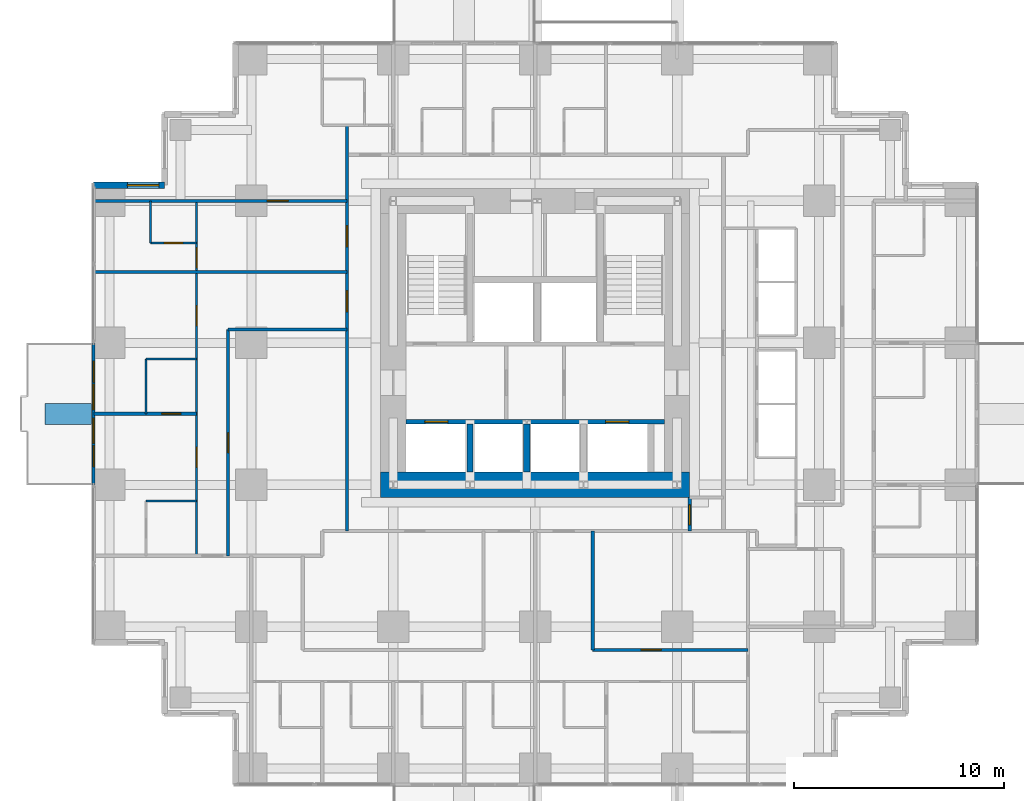
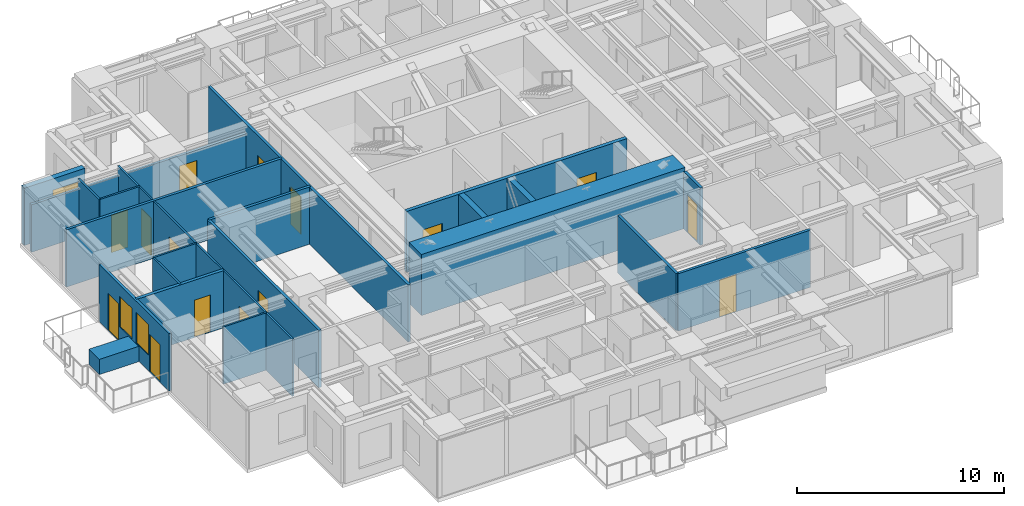
# One storey, part 8 of 13: 22 walls, 15 doors, 3 windows, 18 openings.
"""IFC4 building model written with IfcOpenShell, lengths in metres."""

from ifc_helpers import new_model, si_unit, direction, frame, frame_2d, origin, place, context, subcontext, project, spatial, rectangle, extrude, material, layer, layer_set, type_object, element, fill, save


model = new_model("IFC4")

# Units and contexts
model_context = context("Model", 3, precision=1e-05, world=origin(), true_north=direction((0.0, 1.0)))
body_context = subcontext(model_context, "Body", "Model", "MODEL_VIEW")
ifc_project = project(units=[si_unit("LENGTHUNIT", "METRE"), si_unit("AREAUNIT", "SQUARE_METRE"), si_unit("VOLUMEUNIT", "CUBIC_METRE"), si_unit("PLANEANGLEUNIT", "RADIAN"), si_unit("MASSUNIT", "GRAM", prefix="KILO")], contexts=[model_context])

# Site, building, storey
site_placement = place(None, origin())
site = spatial("IfcSite", under=ifc_project, at=site_placement, CompositionType="ELEMENT")
building_placement = place(site_placement, origin())
building = spatial("IfcBuilding", under=site, at=building_placement, Name="Nyansa Garden Tower", CompositionType="ELEMENT")
storey_placement = place(building_placement, frame((0.0, 0.0, 116.10009765625)))
storey = spatial("IfcBuildingStorey", under=building, at=storey_placement, Name="L31", CompositionType="ELEMENT", Elevation=116.10009765625)

# Wall, opening, door
ifc_material_1 = material(Name="Dense blockwork, plastered both sides, 55 dB", Category="masonry")
ifc_layer_1 = layer(ifc_material_1, 0.175048828125)
ifc_layer_set_1 = layer_set([ifc_layer_1], Name="Acoustic party wall PW175")
wall_type_1 = type_object("IfcWallType", Name="Acoustic party wall PW175", PredefinedType="PARTITIONING", material=ifc_layer_set_1)
wall_1_placement = place(storey_placement, frame((-0.73388671875, 16.875, 0.0), z_axis=(0.0, 0.0, 1.0), x_axis=(1.0, 0.0, 0.0)))
wall_1 = element("IfcWall", 1, at=wall_1_placement, inside=storey, type_object=wall_type_1, Name="Party wall", PredefinedType="PARTITIONING", context=body_context, shape_type="SweptSolid", body=[
    extrude(rectangle(XDim=4.8837890625, YDim=0.175048828125, at=frame_2d((2.44189453125, 0.0))), origin(), (0.0, 0.0, 1.0), 3.375),
])
opening_1_placement = place(wall_1_placement, frame((3.23388671875, 0.0, 0.0)))
opening_1 = element("IfcOpeningElement", 2, at=opening_1_placement, cuts=wall_1, Name="Opening D02", PredefinedType="OPENING", context=body_context, shape_type="SweptSolid", body=[
    extrude(rectangle(XDim=0.89990234375, YDim=2.199951171875, at=frame_2d((0.449951171875, 1.10009765625))), frame((0.0, 0.097412109375, 0.0), z_axis=(0.0, -1.0, 0.0), x_axis=(1.0, 0.0, 0.0)), (0.0, 0.0, 1.0), 0.195068359375),
])
ifc_material_2 = material(Name="Timber flush door", Category="wood")
door_type_1 = type_object("IfcDoorType", Name="En-suite door D02 900x2200", OperationType="SINGLE_SWING_RIGHT", PredefinedType="DOOR", material=ifc_material_2)
door_1_placement = place(opening_1_placement, origin())
door_1 = element("IfcDoor", 3, at=door_1_placement, inside=storey, type_object=door_type_1, Name="Door L31-061", OperationType="SINGLE_SWING_RIGHT", OverallHeight=2.199951171875, OverallWidth=0.89990234375, PredefinedType="DOOR", context=body_context, shape_type="SweptSolid", body=[
    extrude(rectangle(XDim=0.89990234375, YDim=2.199951171875, at=frame_2d((0.449951171875, 1.10009765625))), frame((0.0, 0.02490234375, 0.0), z_axis=(0.0, -1.0, 0.0), x_axis=(1.0, 0.0, 0.0)), (0.0, 0.0, 1.0), 0.050048828125),
])
fill(opening_1, door_1)

# Wall, openings, doors, windows
ifc_material_3 = material(Name="Black aluminium framed glazed screen", Category="aluminium")
ifc_layer_2 = layer(ifc_material_3, 0.14990234375)
ifc_layer_set_2 = layer_set([ifc_layer_2], Name="Balcony screen wall BW150")
wall_type_2 = type_object("IfcWallType", Name="Balcony screen wall BW150", PredefinedType="SOLIDWALL", material=ifc_layer_set_2)
wall_2_placement = place(storey_placement, frame((-0.75, 13.5, 0.0), z_axis=(0.0, 0.0, 1.0), x_axis=(0.0, 1.0, 0.0)))
wall_2 = element("IfcWall", 4, at=wall_2_placement, inside=storey, type_object=wall_type_2, Name="Glazed screen wall L31 W", PredefinedType="SOLIDWALL", context=body_context, shape_type="SweptSolid", body=[
    extrude(rectangle(XDim=6.75, YDim=0.14990234375, at=frame_2d((3.375, 0.0))), origin(), (0.0, 0.0, 1.0), 3.375),
])
opening_2_placement = place(wall_2_placement, frame((0.862548828125, 0.0, 0.0)))
opening_2 = element("IfcOpeningElement", 5, at=opening_2_placement, cuts=wall_2, Name="Opening D20", PredefinedType="OPENING", context=body_context, shape_type="SweptSolid", body=[
    extrude(rectangle(XDim=1.0, YDim=2.199951171875, at=frame_2d((0.5, 1.10009765625))), frame((0.0, 0.0849609375, 0.0), z_axis=(0.0, -1.0, 0.0), x_axis=(1.0, 0.0, 0.0)), (0.0, 0.0, 1.0), 0.169921875),
])
opening_3_placement = place(wall_2_placement, frame((1.97509765625, 0.0, 0.89990234375)))
opening_3 = element("IfcOpeningElement", 6, at=opening_3_placement, cuts=wall_2, Name="Opening W6", PredefinedType="OPENING", context=body_context, shape_type="SweptSolid", body=[
    extrude(rectangle(XDim=1.199951171875, YDim=1.800048828125, at=frame_2d((0.60009765625, 0.89990234375))), frame((0.0, 0.0849609375, 0.0), z_axis=(0.0, -1.0, 0.0), x_axis=(1.0, 0.0, 0.0)), (0.0, 0.0, 1.0), 0.169921875),
])
opening_4_placement = place(wall_2_placement, frame((4.887451171875, 0.0, 0.0)))
opening_4 = element("IfcOpeningElement", 7, at=opening_4_placement, cuts=wall_2, Name="Opening D20", PredefinedType="OPENING", context=body_context, shape_type="SweptSolid", body=[
    extrude(rectangle(XDim=1.0, YDim=2.199951171875, at=frame_2d((0.5, 1.10009765625))), frame((0.0, 0.0849609375, 0.0), z_axis=(0.0, -1.0, 0.0), x_axis=(1.0, 0.0, 0.0)), (0.0, 0.0, 1.0), 0.169921875),
])
opening_5_placement = place(wall_2_placement, frame((3.574951171875, 0.0, 0.89990234375)))
opening_5 = element("IfcOpeningElement", 8, at=opening_5_placement, cuts=wall_2, Name="Opening W6", PredefinedType="OPENING", context=body_context, shape_type="SweptSolid", body=[
    extrude(rectangle(XDim=1.199951171875, YDim=1.800048828125, at=frame_2d((0.60009765625, 0.89990234375))), frame((0.0, 0.0849609375, 0.0), z_axis=(0.0, -1.0, 0.0), x_axis=(1.0, 0.0, 0.0)), (0.0, 0.0, 1.0), 0.169921875),
])
ifc_material_4 = material(Name="Black aluminium framed glazed door", Category="aluminium")
door_type_2 = type_object("IfcDoorType", Name="Balcony door D20 1000x2200", OperationType="NOTDEFINED", PredefinedType="DOOR", material=ifc_material_4)
door_2_placement = place(opening_2_placement, origin())
door_2 = element("IfcDoor", 9, at=door_2_placement, inside=storey, type_object=door_type_2, Name="Balcony door L31", OperationType="SINGLE_SWING_LEFT", OverallHeight=2.199951171875, OverallWidth=1.0, PredefinedType="DOOR", context=body_context, shape_type="SweptSolid", body=[
    extrude(rectangle(XDim=1.0, YDim=2.199951171875, at=frame_2d((0.5, 1.10009765625))), frame((0.0, 0.02490234375, 0.0), z_axis=(0.0, -1.0, 0.0), x_axis=(1.0, 0.0, 0.0)), (0.0, 0.0, 1.0), 0.050048828125),
])
fill(opening_2, door_2)
door_3_placement = place(opening_4_placement, origin())
door_3 = element("IfcDoor", 10, at=door_3_placement, inside=storey, type_object=door_type_2, Name="Balcony door L31", OperationType="SINGLE_SWING_RIGHT", OverallHeight=2.199951171875, OverallWidth=1.0, PredefinedType="DOOR", context=body_context, shape_type="SweptSolid", body=[
    extrude(rectangle(XDim=1.0, YDim=2.199951171875, at=frame_2d((0.5, 1.10009765625))), frame((0.0, 0.02490234375, 0.0), z_axis=(0.0, -1.0, 0.0), x_axis=(1.0, 0.0, 0.0)), (0.0, 0.0, 1.0), 0.050048828125),
])
fill(opening_4, door_3)
ifc_material_5 = material(Name="Black aluminium frame, dark tinted double glazing", Category="aluminium")
window_type_1 = type_object("IfcWindowType", Name="Balcony window W6 1200x1800", PartitioningType="SINGLE_PANEL", PredefinedType="WINDOW", material=ifc_material_5)
window_1_placement = place(opening_3_placement, origin())
window_1 = element("IfcWindow", 11, at=window_1_placement, inside=storey, type_object=window_type_1, Name="Window L31", OverallHeight=1.800048828125, OverallWidth=1.199951171875, PartitioningType="SINGLE_PANEL", PredefinedType="WINDOW", context=body_context, shape_type="SweptSolid", body=[
    extrude(rectangle(XDim=1.199951171875, YDim=1.800048828125, at=frame_2d((0.60009765625, 0.89990234375))), frame((0.0, 0.030029296875, 0.0), z_axis=(0.0, -1.0, 0.0), x_axis=(1.0, 0.0, 0.0)), (0.0, 0.0, 1.0), 0.06005859375),
])
fill(opening_3, window_1)
window_2_placement = place(opening_5_placement, origin())
window_2 = element("IfcWindow", 12, at=window_2_placement, inside=storey, type_object=window_type_1, Name="Window L31", OverallHeight=1.800048828125, OverallWidth=1.199951171875, PartitioningType="SINGLE_PANEL", PredefinedType="WINDOW", context=body_context, shape_type="SweptSolid", body=[
    extrude(rectangle(XDim=1.199951171875, YDim=1.800048828125, at=frame_2d((0.60009765625, 0.89990234375))), frame((0.0, 0.030029296875, 0.0), z_axis=(0.0, -1.0, 0.0), x_axis=(1.0, 0.0, 0.0)), (0.0, 0.0, 1.0), 0.06005859375),
])
fill(opening_5, window_2)

# Wall, openings, doors
ifc_material_6 = material(Name="Concrete C70/85", Category="concrete")
ifc_layer_3 = layer(ifc_material_6, 0.199951171875)
ifc_layer_set_3 = layer_set([ifc_layer_3], Name="Core inner wall CI200")
wall_type_3 = type_object("IfcWallType", Name="Core inner wall CI200", PredefinedType="SHEAR", material=ifc_layer_set_3)
wall_3_placement = place(storey_placement, frame((14.10009765625, 16.5, 0.0), z_axis=(0.0, 0.0, 1.0), x_axis=(1.0, 0.0, 0.0)))
wall_3 = element("IfcWall", 13, at=wall_3_placement, inside=storey, type_object=wall_type_3, Name="Core inner wall L31", PredefinedType="SHEAR", context=body_context, shape_type="SweptSolid", body=[
    extrude(rectangle(XDim=12.2998046875, YDim=0.199951171875, at=frame_2d((6.14990234375, 0.0))), origin(), (0.0, 0.0, 1.0), 3.599853515625),
])
opening_6_placement = place(wall_3_placement, frame((0.89990234375, 0.0, 0.0)))
opening_6 = element("IfcOpeningElement", 14, at=opening_6_placement, cuts=wall_3, Name="Opening LD-F", PredefinedType="OPENING", context=body_context, shape_type="SweptSolid", body=[
    extrude(rectangle(XDim=1.10009765625, YDim=2.199951171875, at=frame_2d((0.550048828125, 1.10009765625))), frame((0.0, 0.10986328125, 0.0), z_axis=(0.0, -1.0, 0.0), x_axis=(1.0, 0.0, 0.0)), (0.0, 0.0, 1.0), 0.219970703125),
])
opening_7_placement = place(wall_3_placement, frame((9.5, 0.0, 0.0)))
opening_7 = element("IfcOpeningElement", 15, at=opening_7_placement, cuts=wall_3, Name="Opening LD-F", PredefinedType="OPENING", context=body_context, shape_type="SweptSolid", body=[
    extrude(rectangle(XDim=1.10009765625, YDim=2.199951171875, at=frame_2d((0.550048828125, 1.10009765625))), frame((0.0, 0.10986328125, 0.0), z_axis=(0.0, -1.0, 0.0), x_axis=(1.0, 0.0, 0.0)), (0.0, 0.0, 1.0), 0.219970703125),
])
ifc_material_7 = material(Name="Stainless steel centre-opening landing door of the firefighting lift, EN 81-72, E 120", Category="steel")
door_type_3 = type_object("IfcDoorType", Name="Lift landing door LD-F 1100x2200", OperationType="DOUBLE_DOOR_SLIDING", PredefinedType="DOOR", material=ifc_material_7)
door_4_placement = place(opening_6_placement, origin())
door_4 = element("IfcDoor", 16, at=door_4_placement, inside=storey, type_object=door_type_3, Name="Landing door FF1", OperationType="DOUBLE_DOOR_SLIDING", OverallHeight=2.199951171875, OverallWidth=1.10009765625, PredefinedType="DOOR", context=body_context, shape_type="SweptSolid", body=[
    extrude(rectangle(XDim=1.10009765625, YDim=2.199951171875, at=frame_2d((0.550048828125, 1.10009765625))), frame((0.0, 0.02490234375, 0.0), z_axis=(0.0, -1.0, 0.0), x_axis=(1.0, 0.0, 0.0)), (0.0, 0.0, 1.0), 0.050048828125),
])
fill(opening_6, door_4)
door_5_placement = place(opening_7_placement, origin())
door_5 = element("IfcDoor", 17, at=door_5_placement, inside=storey, type_object=door_type_3, Name="Landing door FF2", OperationType="DOUBLE_DOOR_SLIDING", OverallHeight=2.199951171875, OverallWidth=1.10009765625, PredefinedType="DOOR", context=body_context, shape_type="SweptSolid", body=[
    extrude(rectangle(XDim=1.10009765625, YDim=2.199951171875, at=frame_2d((0.550048828125, 1.10009765625))), frame((0.0, 0.02490234375, 0.0), z_axis=(0.0, -1.0, 0.0), x_axis=(1.0, 0.0, 0.0)), (0.0, 0.0, 1.0), 0.050048828125),
])
fill(opening_7, door_5)

# Walls
ifc_material_8 = material(Name="Concrete C70/85", Category="concrete")
ifc_layer_4 = layer(ifc_material_8, 0.300048828125)
ifc_layer_set_4 = layer_set([ifc_layer_4], Name="Core inner wall CI300")
wall_type_4 = type_object("IfcWallType", Name="Core inner wall CI300", PredefinedType="SHEAR", material=ifc_layer_set_4)
for number, where, z_axis, x_axis, name in (
    (18, (17.14990234375, 14.10009765625, 0.0), (0.0, 0.0, 1.0), (0.0, 1.0, 0.0), "Core inner wall L31"),
    (19, (19.85009765625, 14.10009765625, 0.0), (0.0, 0.0, 1.0), (0.0, 1.0, 0.0), "Core inner wall L31"),
):
    element("IfcWall", number, at=place(storey_placement, frame(where, z_axis=z_axis, x_axis=x_axis)), inside=storey, type_object=wall_type_4, Name=name, PredefinedType="SHEAR", context=body_context, shape_type="SweptSolid", body=[
        extrude(rectangle(XDim=2.2998046875, YDim=0.300048828125, at=frame_2d((1.14990234375, 0.0))), origin(), (0.0, 0.0, 1.0), 3.599853515625),
    ])
ifc_material_9 = material(Name="Concrete C80/95", Category="concrete")
ifc_layer_5 = layer(ifc_material_9, 1.199951171875)
ifc_layer_set_5 = layer_set([ifc_layer_5], Name="Core wall CW1200")
wall_type_5 = type_object("IfcWallType", Name="Core wall CW1200", PredefinedType="SHEAR", material=ifc_layer_set_5)
wall_4_placement = place(storey_placement, frame((12.89990234375, 13.5, 0.0), z_axis=(0.0, 0.0, 1.0), x_axis=(1.0, 0.0, 0.0)))
element("IfcWall", 20, at=wall_4_placement, inside=storey, type_object=wall_type_5, Name="Core wall S L31", PredefinedType="SHEAR", context=body_context, shape_type="SweptSolid", body=[
    extrude(rectangle(XDim=14.7001953125, YDim=1.199951171875, at=frame_2d((7.35009765625, 0.0))), origin(), (0.0, 0.0, 1.0), 3.599853515625),
])
ifc_material_10 = material(Name="Blockwork, plastered both sides", Category="masonry")
ifc_layer_6 = layer(ifc_material_10, 0.14990234375)
ifc_layer_set_6 = layer_set([ifc_layer_6], Name="Partition PW150")
wall_type_6 = type_object("IfcWallType", Name="Partition PW150", PredefinedType="PARTITIONING", material=ifc_layer_set_6)
wall_5_placement = place(storey_placement, frame((-0.73388671875, 23.625, 0.0), z_axis=(0.0, 0.0, 1.0), x_axis=(1.0, 0.0, 0.0)))
element("IfcWall", 21, at=wall_5_placement, inside=storey, type_object=wall_type_6, Name="Partition", PredefinedType="PARTITIONING", context=body_context, shape_type="SweptSolid", body=[
    extrude(rectangle(XDim=12.033935546875, YDim=0.14990234375, at=frame_2d((6.01708984375, 0.0))), origin(), (0.0, 0.0, 1.0), 3.375),
])

# Wall, opening, door
wall_6_placement = place(storey_placement, frame((-0.73388671875, 27.0, 0.0), z_axis=(0.0, 0.0, 1.0), x_axis=(1.0, 0.0, 0.0)))
wall_6 = element("IfcWall", 22, at=wall_6_placement, inside=storey, type_object=wall_type_6, Name="Partition", PredefinedType="PARTITIONING", context=body_context, shape_type="SweptSolid", body=[
    extrude(rectangle(XDim=12.033935546875, YDim=0.14990234375, at=frame_2d((6.01708984375, 0.0))), origin(), (0.0, 0.0, 1.0), 2.805908203125),
])
opening_8_placement = place(wall_6_placement, frame((8.23388671875, 0.0, 0.0)))
opening_8 = element("IfcOpeningElement", 23, at=opening_8_placement, cuts=wall_6, Name="Opening D03", PredefinedType="OPENING", context=body_context, shape_type="SweptSolid", body=[
    extrude(rectangle(XDim=1.0, YDim=2.199951171875, at=frame_2d((0.5, 1.10009765625))), frame((0.0, 0.0849609375, 0.0), z_axis=(0.0, -1.0, 0.0), x_axis=(1.0, 0.0, 0.0)), (0.0, 0.0, 1.0), 0.169921875),
])
ifc_material_11 = material(Name="Timber flush door, 60 minute fire resisting", Category="wood")
door_type_4 = type_object("IfcDoorType", Name="Cluster entrance door D03 1000x2200", OperationType="SINGLE_SWING_LEFT", PredefinedType="DOOR", material=ifc_material_11)
door_6_placement = place(opening_8_placement, origin())
door_6 = element("IfcDoor", 24, at=door_6_placement, inside=storey, type_object=door_type_4, Name="Door L31-054", OperationType="SINGLE_SWING_LEFT", OverallHeight=2.199951171875, OverallWidth=1.0, PredefinedType="DOOR", context=body_context, shape_type="SweptSolid", body=[
    extrude(rectangle(XDim=1.0, YDim=2.199951171875, at=frame_2d((0.5, 1.10009765625))), frame((0.0, 0.02490234375, 0.0), z_axis=(0.0, -1.0, 0.0), x_axis=(1.0, 0.0, 0.0)), (0.0, 0.0, 1.0), 0.050048828125),
])
fill(opening_8, door_6)

wall_7_placement = place(storey_placement, frame((5.64990234375, 10.125, 0.0), z_axis=(0.0, 0.0, 1.0), x_axis=(0.0, 1.0, 0.0)))
wall_7 = element("IfcWall", 25, at=wall_7_placement, inside=storey, type_object=wall_type_6, Name="Partition", PredefinedType="PARTITIONING", context=body_context, shape_type="SweptSolid", body=[
    extrude(rectangle(XDim=10.762451171875, YDim=0.14990234375, at=frame_2d((5.38134765625, 0.0))), origin(), (0.0, 0.0, 1.0), 3.375),
])
opening_9_placement = place(wall_7_placement, frame((4.89990234375, 0.0, 0.0)))
opening_9 = element("IfcOpeningElement", 26, at=opening_9_placement, cuts=wall_7, Name="Opening D01", PredefinedType="OPENING", context=body_context, shape_type="SweptSolid", body=[
    extrude(rectangle(XDim=0.949951171875, YDim=2.199951171875, at=frame_2d((0.47509765625, 1.10009765625))), frame((0.0, 0.0849609375, 0.0), z_axis=(0.0, -1.0, 0.0), x_axis=(1.0, 0.0, 0.0)), (0.0, 0.0, 1.0), 0.169921875),
])
ifc_material_12 = material(Name="Timber flush door, 30 minute fire resisting", Category="wood")
door_type_5 = type_object("IfcDoorType", Name="Bedroom door D01 950x2200", OperationType="SINGLE_SWING_LEFT", PredefinedType="DOOR", material=ifc_material_12)
door_7_placement = place(opening_9_placement, origin())
door_7 = element("IfcDoor", 27, at=door_7_placement, inside=storey, type_object=door_type_5, Name="Door L31-063", OperationType="SINGLE_SWING_LEFT", OverallHeight=2.199951171875, OverallWidth=0.949951171875, PredefinedType="DOOR", context=body_context, shape_type="SweptSolid", body=[
    extrude(rectangle(XDim=0.949951171875, YDim=2.199951171875, at=frame_2d((0.47509765625, 1.10009765625))), frame((0.0, 0.02490234375, 0.0), z_axis=(0.0, -1.0, 0.0), x_axis=(1.0, 0.0, 0.0)), (0.0, 0.0, 1.0), 0.050048828125),
])
fill(opening_9, door_7)

# Wall
wall_8_placement = place(storey_placement, frame((5.64990234375, 20.886962890625, 0.0), z_axis=(0.0, 0.0, 1.0), x_axis=(1.0, 0.0, 0.0)))
element("IfcWall", 28, at=wall_8_placement, inside=storey, type_object=wall_type_6, Name="Partition", PredefinedType="PARTITIONING", context=body_context, shape_type="SweptSolid", body=[
    extrude(rectangle(XDim=5.650146484375, YDim=0.14990234375, at=frame_2d((2.8251953125, 0.0))), origin(), (0.0, 0.0, 1.0), 3.375),
])

# Wall, openings, doors
wall_9_placement = place(storey_placement, frame((11.300048828125, 11.300048828125, 0.0), z_axis=(0.0, 0.0, 1.0), x_axis=(0.0, 1.0, 0.0)))
wall_9 = element("IfcWall", 29, at=wall_9_placement, inside=storey, type_object=wall_type_6, Name="Partition", PredefinedType="PARTITIONING", context=body_context, shape_type="SweptSolid", body=[
    extrude(rectangle(XDim=19.300048828125, YDim=0.14990234375, at=frame_2d((9.64990234375, 0.0))), origin(), (0.0, 0.0, 1.0), 3.375),
])
opening_10_placement = place(wall_9_placement, frame((13.52490234375, 0.0, 0.0)))
opening_10 = element("IfcOpeningElement", 30, at=opening_10_placement, cuts=wall_9, Name="Opening D03", PredefinedType="OPENING", context=body_context, shape_type="SweptSolid", body=[
    extrude(rectangle(XDim=1.0, YDim=2.199951171875, at=frame_2d((0.5, 1.10009765625))), frame((0.0, 0.0849609375, 0.0), z_axis=(0.0, -1.0, 0.0), x_axis=(1.0, 0.0, 0.0)), (0.0, 0.0, 1.0), 0.169921875),
])
opening_11_placement = place(wall_9_placement, frame((10.4375, 0.0, 0.0)))
opening_11 = element("IfcOpeningElement", 31, at=opening_11_placement, cuts=wall_9, Name="Opening D03", PredefinedType="OPENING", context=body_context, shape_type="SweptSolid", body=[
    extrude(rectangle(XDim=1.0, YDim=2.199951171875, at=frame_2d((0.5, 1.10009765625))), frame((0.0, 0.0849609375, 0.0), z_axis=(0.0, -1.0, 0.0), x_axis=(1.0, 0.0, 0.0)), (0.0, 0.0, 1.0), 0.169921875),
])
door_8_placement = place(opening_10_placement, origin())
door_8 = element("IfcDoor", 32, at=door_8_placement, inside=storey, type_object=door_type_4, Name="Door L31-057", OperationType="SINGLE_SWING_LEFT", OverallHeight=2.199951171875, OverallWidth=1.0, PredefinedType="DOOR", context=body_context, shape_type="SweptSolid", body=[
    extrude(rectangle(XDim=1.0, YDim=2.199951171875, at=frame_2d((0.5, 1.10009765625))), frame((0.0, 0.02490234375, 0.0), z_axis=(0.0, -1.0, 0.0), x_axis=(1.0, 0.0, 0.0)), (0.0, 0.0, 1.0), 0.050048828125),
])
fill(opening_10, door_8)
door_9_placement = place(opening_11_placement, origin())
door_9 = element("IfcDoor", 33, at=door_9_placement, inside=storey, type_object=door_type_4, Name="Door L31-062", OperationType="SINGLE_SWING_LEFT", OverallHeight=2.199951171875, OverallWidth=1.0, PredefinedType="DOOR", context=body_context, shape_type="SweptSolid", body=[
    extrude(rectangle(XDim=1.0, YDim=2.199951171875, at=frame_2d((0.5, 1.10009765625))), frame((0.0, 0.02490234375, 0.0), z_axis=(0.0, -1.0, 0.0), x_axis=(1.0, 0.0, 0.0)), (0.0, 0.0, 1.0), 0.050048828125),
])
fill(opening_11, door_9)

# Wall, opening, door
wall_10_placement = place(storey_placement, frame((22.987548828125, 5.64990234375, 0.0), z_axis=(0.0, 0.0, 1.0), x_axis=(1.0, 0.0, 0.0)))
wall_10 = element("IfcWall", 34, at=wall_10_placement, inside=storey, type_object=wall_type_6, Name="Partition", PredefinedType="PARTITIONING", context=body_context, shape_type="SweptSolid", body=[
    extrude(rectangle(XDim=7.387451171875, YDim=0.14990234375, at=frame_2d((3.69384765625, 0.0))), origin(), (0.0, 0.0, 1.0), 3.375),
])
opening_12_placement = place(wall_10_placement, frame((2.300048828125, 0.0, 0.0)))
opening_12 = element("IfcOpeningElement", 35, at=opening_12_placement, cuts=wall_10, Name="Opening D01", PredefinedType="OPENING", context=body_context, shape_type="SweptSolid", body=[
    extrude(rectangle(XDim=0.949951171875, YDim=2.199951171875, at=frame_2d((0.47509765625, 1.10009765625))), frame((0.0, 0.0849609375, 0.0), z_axis=(0.0, -1.0, 0.0), x_axis=(1.0, 0.0, 0.0)), (0.0, 0.0, 1.0), 0.169921875),
])
door_10_placement = place(opening_12_placement, origin())
door_10 = element("IfcDoor", 36, at=door_10_placement, inside=storey, type_object=door_type_5, Name="Door L31-033", OperationType="SINGLE_SWING_LEFT", OverallHeight=2.199951171875, OverallWidth=0.949951171875, PredefinedType="DOOR", context=body_context, shape_type="SweptSolid", body=[
    extrude(rectangle(XDim=0.949951171875, YDim=2.199951171875, at=frame_2d((0.47509765625, 1.10009765625))), frame((0.0, 0.02490234375, 0.0), z_axis=(0.0, -1.0, 0.0), x_axis=(1.0, 0.0, 0.0)), (0.0, 0.0, 1.0), 0.050048828125),
])
fill(opening_12, door_10)

# Wall
wall_11_placement = place(storey_placement, frame((22.988037109375, 5.64990234375, 0.0), z_axis=(0.0, 0.0, 1.0), x_axis=(0.0, 1.0, 0.0)))
element("IfcWall", 37, at=wall_11_placement, inside=storey, type_object=wall_type_6, Name="Partition", PredefinedType="PARTITIONING", context=body_context, shape_type="SweptSolid", body=[
    extrude(rectangle(XDim=5.650146484375, YDim=0.14990234375, at=frame_2d((2.8251953125, 0.0))), origin(), (0.0, 0.0, 1.0), 3.375),
])

# Wall, opening, door
wall_12_placement = place(storey_placement, frame((27.60009765625, 11.300048828125, 0.0), z_axis=(0.0, 0.0, 1.0), x_axis=(0.0, 1.0, 0.0)))
wall_12 = element("IfcWall", 38, at=wall_12_placement, inside=storey, type_object=wall_type_6, Name="Partition", PredefinedType="PARTITIONING", context=body_context, shape_type="SweptSolid", body=[
    extrude(rectangle(XDim=1.599853515625, YDim=0.14990234375, at=frame_2d((0.7998046875, 0.0))), origin(), (0.0, 0.0, 1.0), 3.375),
])
opening_13_placement = place(wall_12_placement, frame((0.300048828125, 0.0, 0.0)))
opening_13 = element("IfcOpeningElement", 39, at=opening_13_placement, cuts=wall_12, Name="Opening D01", PredefinedType="OPENING", context=body_context, shape_type="SweptSolid", body=[
    extrude(rectangle(XDim=0.949951171875, YDim=2.199951171875, at=frame_2d((0.47509765625, 1.10009765625))), frame((0.0, 0.0849609375, 0.0), z_axis=(0.0, -1.0, 0.0), x_axis=(1.0, 0.0, 0.0)), (0.0, 0.0, 1.0), 0.169921875),
])
door_11_placement = place(opening_13_placement, origin())
door_11 = element("IfcDoor", 40, at=door_11_placement, inside=storey, type_object=door_type_5, Name="Door L31-016", OperationType="SINGLE_SWING_LEFT", OverallHeight=2.199951171875, OverallWidth=0.949951171875, PredefinedType="DOOR", context=body_context, shape_type="SweptSolid", body=[
    extrude(rectangle(XDim=0.949951171875, YDim=2.199951171875, at=frame_2d((0.47509765625, 1.10009765625))), frame((0.0, 0.02490234375, 0.0), z_axis=(0.0, -1.0, 0.0), x_axis=(1.0, 0.0, 0.0)), (0.0, 0.0, 1.0), 0.050048828125),
])
fill(opening_13, door_11)

# Wall, opening, window
ifc_material_13 = material(Name="Turquoise glazed tile on concrete blockwork", Category="masonry")
ifc_layer_7 = layer(ifc_material_13, 0.300048828125)
ifc_layer_set_7 = layer_set([ifc_layer_7], Name="Tiled corner wall TW300")
wall_type_7 = type_object("IfcWallType", Name="Tiled corner wall TW300", PredefinedType="SOLIDWALL", material=ifc_layer_set_7)
wall_13_placement = place(storey_placement, frame((2.625, 27.75, 0.0), z_axis=(0.0, 0.0, 1.0), x_axis=(-1.0, 0.0, 0.0)))
wall_13 = element("IfcWall", 41, at=wall_13_placement, inside=storey, type_object=wall_type_7, Name="Tiled corner wall L31", PredefinedType="SOLIDWALL", context=body_context, shape_type="SweptSolid", body=[
    extrude(rectangle(XDim=3.375, YDim=0.300048828125, at=frame_2d((1.6875, 0.0))), origin(), (0.0, 0.0, 1.0), 3.375),
])
opening_14_placement = place(wall_13_placement, frame((0.267578125, 0.0, 0.89990234375)))
opening_14 = element("IfcOpeningElement", 42, at=opening_14_placement, cuts=wall_13, Name="Opening W1", PredefinedType="OPENING", context=body_context, shape_type="SweptSolid", body=[
    extrude(rectangle(XDim=1.5, YDim=1.800048828125, at=frame_2d((0.75, 0.89990234375))), frame((0.0, 0.159912109375, 0.0), z_axis=(0.0, -1.0, 0.0), x_axis=(1.0, 0.0, 0.0)), (0.0, 0.0, 1.0), 0.320068359375),
])
ifc_material_14 = material(Name="Black aluminium frame, dark tinted double glazing", Category="aluminium")
window_type_2 = type_object("IfcWindowType", Name="Window W1 1500x1800", PartitioningType="SINGLE_PANEL", PredefinedType="WINDOW", material=ifc_material_14)
window_3_placement = place(opening_14_placement, origin())
window_3 = element("IfcWindow", 43, at=window_3_placement, inside=storey, type_object=window_type_2, Name="Corner window L31", OverallHeight=1.800048828125, OverallWidth=1.5, PartitioningType="SINGLE_PANEL", PredefinedType="WINDOW", context=body_context, shape_type="SweptSolid", body=[
    extrude(rectangle(XDim=1.5, YDim=1.800048828125, at=frame_2d((0.75, 0.89990234375))), frame((0.0, 0.030029296875, 0.0), z_axis=(0.0, -1.0, 0.0), x_axis=(1.0, 0.0, 0.0)), (0.0, 0.0, 1.0), 0.06005859375),
])
fill(opening_14, window_3)

# Walls
ifc_material_15 = material(Name="Concrete C40/50 planter, waterproofed", Category="concrete")
ifc_layer_8 = layer(ifc_material_15, 1.0)
ifc_layer_set_8 = layer_set([ifc_layer_8], Name="Tree planter TP1")
wall_type_8 = type_object("IfcWallType", Name="Tree planter TP1", PredefinedType="USERDEFINED", material=ifc_layer_set_8)
wall_14_placement = place(storey_placement, frame((-0.85009765625, 16.875, 0.0), z_axis=(0.0, 0.0, 1.0), x_axis=(-1.0, 0.0, 0.0)))
element("IfcWall", 44, at=wall_14_placement, inside=storey, type_object=wall_type_8, Name="Tree planter L31", ObjectType="TREE PLANTER", PredefinedType="USERDEFINED", context=body_context, shape_type="SweptSolid", body=[
    extrude(rectangle(XDim=2.199951171875, YDim=1.0, at=frame_2d((1.10009765625, 0.0))), origin(), (0.0, 0.0, 1.0), 0.89990234375),
])
ifc_material_16 = material(Name="Moisture resistant board on steel studs, tiled", Category="steel")
ifc_layer_9 = layer(ifc_material_16, 0.10009765625)
ifc_layer_set_9 = layer_set([ifc_layer_9], Name="Wet wall PW100")
wall_type_9 = type_object("IfcWallType", Name="Wet wall PW100", PredefinedType="PARTITIONING", material=ifc_layer_set_9)
wall_15_placement = place(storey_placement, frame((1.75, 12.72509765625, 0.0), z_axis=(0.0, 0.0, 1.0), x_axis=(1.0, 0.0, 0.0)))
element("IfcWall", 45, at=wall_15_placement, inside=storey, type_object=wall_type_9, Name="Wet wall", PredefinedType="PARTITIONING", context=body_context, shape_type="SweptSolid", body=[
    extrude(rectangle(XDim=2.39990234375, YDim=0.10009765625, at=frame_2d((1.199951171875, 0.0))), origin(), (0.0, 0.0, 1.0), 3.375),
])
wall_16_placement = place(storey_placement, frame((1.75, 16.875, 0.0), z_axis=(0.0, 0.0, 1.0), x_axis=(0.0, 1.0, 0.0)))
element("IfcWall", 46, at=wall_16_placement, inside=storey, type_object=wall_type_9, Name="Wet wall", PredefinedType="PARTITIONING", context=body_context, shape_type="SweptSolid", body=[
    extrude(rectangle(XDim=2.60009765625, YDim=0.10009765625, at=frame_2d((1.300048828125, 0.0))), origin(), (0.0, 0.0, 1.0), 3.375),
])
wall_17_placement = place(storey_placement, frame((1.75, 19.47509765625, 0.0), z_axis=(0.0, 0.0, 1.0), x_axis=(1.0, 0.0, 0.0)))
element("IfcWall", 47, at=wall_17_placement, inside=storey, type_object=wall_type_9, Name="Wet wall", PredefinedType="PARTITIONING", context=body_context, shape_type="SweptSolid", body=[
    extrude(rectangle(XDim=2.39990234375, YDim=0.10009765625, at=frame_2d((1.199951171875, 0.0))), origin(), (0.0, 0.0, 1.0), 3.375),
])
wall_18_placement = place(storey_placement, frame((1.949951171875, 25.0, 0.0), z_axis=(0.0, 0.0, 1.0), x_axis=(0.0, 1.0, 0.0)))
element("IfcWall", 48, at=wall_18_placement, inside=storey, type_object=wall_type_9, Name="Wet wall", PredefinedType="PARTITIONING", context=body_context, shape_type="SweptSolid", body=[
    extrude(rectangle(XDim=2.0, YDim=0.10009765625, at=frame_2d((1.0, 0.0))), origin(), (0.0, 0.0, 1.0), 3.375),
])

# Wall, opening, door
wall_19_placement = place(storey_placement, frame((1.949951171875, 25.0, 0.0), z_axis=(0.0, 0.0, 1.0), x_axis=(1.0, 0.0, 0.0)))
wall_19 = element("IfcWall", 49, at=wall_19_placement, inside=storey, type_object=wall_type_9, Name="Wet wall", PredefinedType="PARTITIONING", context=body_context, shape_type="SweptSolid", body=[
    extrude(rectangle(XDim=2.199951171875, YDim=0.10009765625, at=frame_2d((1.10009765625, 0.0))), origin(), (0.0, 0.0, 1.0), 3.375),
])
opening_15_placement = place(wall_19_placement, frame((0.64990234375, 0.0, 0.0)))
opening_15 = element("IfcOpeningElement", 50, at=opening_15_placement, cuts=wall_19, Name="Opening D02", PredefinedType="OPENING", context=body_context, shape_type="SweptSolid", body=[
    extrude(rectangle(XDim=0.89990234375, YDim=2.199951171875, at=frame_2d((0.449951171875, 1.10009765625))), frame((0.0, 0.06005859375, 0.0), z_axis=(0.0, -1.0, 0.0), x_axis=(1.0, 0.0, 0.0)), (0.0, 0.0, 1.0), 0.1201171875),
])
door_12_placement = place(opening_15_placement, origin())
door_12 = element("IfcDoor", 51, at=door_12_placement, inside=storey, type_object=door_type_1, Name="Door L31-056", OperationType="SINGLE_SWING_RIGHT", OverallHeight=2.199951171875, OverallWidth=0.89990234375, PredefinedType="DOOR", context=body_context, shape_type="SweptSolid", body=[
    extrude(rectangle(XDim=0.89990234375, YDim=2.199951171875, at=frame_2d((0.449951171875, 1.10009765625))), frame((0.0, 0.02490234375, 0.0), z_axis=(0.0, -1.0, 0.0), x_axis=(1.0, 0.0, 0.0)), (0.0, 0.0, 1.0), 0.050048828125),
])
fill(opening_15, door_12)

# Wall, openings, doors
wall_20_placement = place(storey_placement, frame((4.14990234375, 10.125, 0.0), z_axis=(0.0, 0.0, 1.0), x_axis=(0.0, 1.0, 0.0)))
wall_20 = element("IfcWall", 52, at=wall_20_placement, inside=storey, type_object=wall_type_9, Name="Wet wall", PredefinedType="PARTITIONING", context=body_context, shape_type="SweptSolid", body=[
    extrude(rectangle(XDim=16.875, YDim=0.10009765625, at=frame_2d((8.4375, 0.0))), origin(), (0.0, 0.0, 1.0), 3.375),
])
opening_16_placement = place(wall_20_placement, frame((13.699951171875, 0.0, 0.0)))
opening_16 = element("IfcOpeningElement", 53, at=opening_16_placement, cuts=wall_20, Name="Opening D01", PredefinedType="OPENING", context=body_context, shape_type="SweptSolid", body=[
    extrude(rectangle(XDim=0.949951171875, YDim=2.199951171875, at=frame_2d((0.47509765625, 1.10009765625))), frame((0.0, 0.06005859375, 0.0), z_axis=(0.0, -1.0, 0.0), x_axis=(1.0, 0.0, 0.0)), (0.0, 0.0, 1.0), 0.1201171875),
])
opening_17_placement = place(wall_20_placement, frame((4.199951171875, 0.0, 0.0)))
opening_17 = element("IfcOpeningElement", 54, at=opening_17_placement, cuts=wall_20, Name="Opening D14", PredefinedType="OPENING", context=body_context, shape_type="SweptSolid", body=[
    extrude(rectangle(XDim=0.949951171875, YDim=2.199951171875, at=frame_2d((0.47509765625, 1.10009765625))), frame((0.0, 0.06005859375, 0.0), z_axis=(0.0, -1.0, 0.0), x_axis=(1.0, 0.0, 0.0)), (0.0, 0.0, 1.0), 0.1201171875),
])
opening_18_placement = place(wall_20_placement, frame((10.949951171875, 0.0, 0.0)))
opening_18 = element("IfcOpeningElement", 55, at=opening_18_placement, cuts=wall_20, Name="Opening D14", PredefinedType="OPENING", context=body_context, shape_type="SweptSolid", body=[
    extrude(rectangle(XDim=0.949951171875, YDim=2.199951171875, at=frame_2d((0.47509765625, 1.10009765625))), frame((0.0, 0.06005859375, 0.0), z_axis=(0.0, -1.0, 0.0), x_axis=(1.0, 0.0, 0.0)), (0.0, 0.0, 1.0), 0.1201171875),
])
door_13_placement = place(opening_16_placement, origin())
door_13 = element("IfcDoor", 56, at=door_13_placement, inside=storey, type_object=door_type_5, Name="Door L31-055", OperationType="SINGLE_SWING_LEFT", OverallHeight=2.199951171875, OverallWidth=0.949951171875, PredefinedType="DOOR", context=body_context, shape_type="SweptSolid", body=[
    extrude(rectangle(XDim=0.949951171875, YDim=2.199951171875, at=frame_2d((0.47509765625, 1.10009765625))), frame((0.0, 0.02490234375, 0.0), z_axis=(0.0, -1.0, 0.0), x_axis=(1.0, 0.0, 0.0)), (0.0, 0.0, 1.0), 0.050048828125),
])
fill(opening_16, door_13)
ifc_material_17 = material(Name="Timber flush door, 60 minute fire resisting, self-closing", Category="wood")
door_type_6 = type_object("IfcDoorType", Name="Studio entrance door D14 950x2200", OperationType="SINGLE_SWING_LEFT", PredefinedType="DOOR", material=ifc_material_17)
door_14_placement = place(opening_17_placement, origin())
door_14 = element("IfcDoor", 57, at=door_14_placement, inside=storey, type_object=door_type_6, Name="Door L31-058", OperationType="SINGLE_SWING_LEFT", OverallHeight=2.199951171875, OverallWidth=0.949951171875, PredefinedType="DOOR", context=body_context, shape_type="SweptSolid", body=[
    extrude(rectangle(XDim=0.949951171875, YDim=2.199951171875, at=frame_2d((0.47509765625, 1.10009765625))), frame((0.0, 0.02490234375, 0.0), z_axis=(0.0, -1.0, 0.0), x_axis=(1.0, 0.0, 0.0)), (0.0, 0.0, 1.0), 0.050048828125),
])
fill(opening_17, door_14)
door_15_placement = place(opening_18_placement, origin())
door_15 = element("IfcDoor", 58, at=door_15_placement, inside=storey, type_object=door_type_6, Name="Door L31-060", OperationType="SINGLE_SWING_LEFT", OverallHeight=2.199951171875, OverallWidth=0.949951171875, PredefinedType="DOOR", context=body_context, shape_type="SweptSolid", body=[
    extrude(rectangle(XDim=0.949951171875, YDim=2.199951171875, at=frame_2d((0.47509765625, 1.10009765625))), frame((0.0, 0.02490234375, 0.0), z_axis=(0.0, -1.0, 0.0), x_axis=(1.0, 0.0, 0.0)), (0.0, 0.0, 1.0), 0.050048828125),
])
fill(opening_18, door_15)

save(model, "model.ifc")
